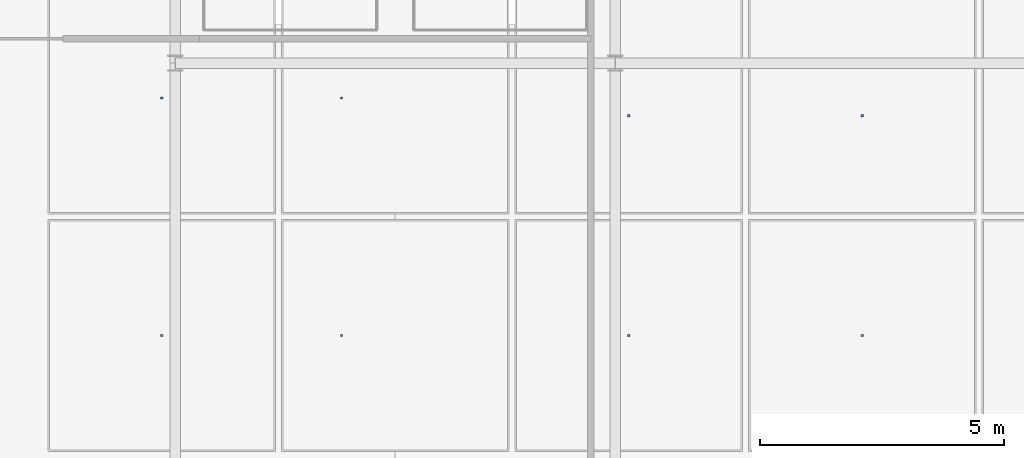
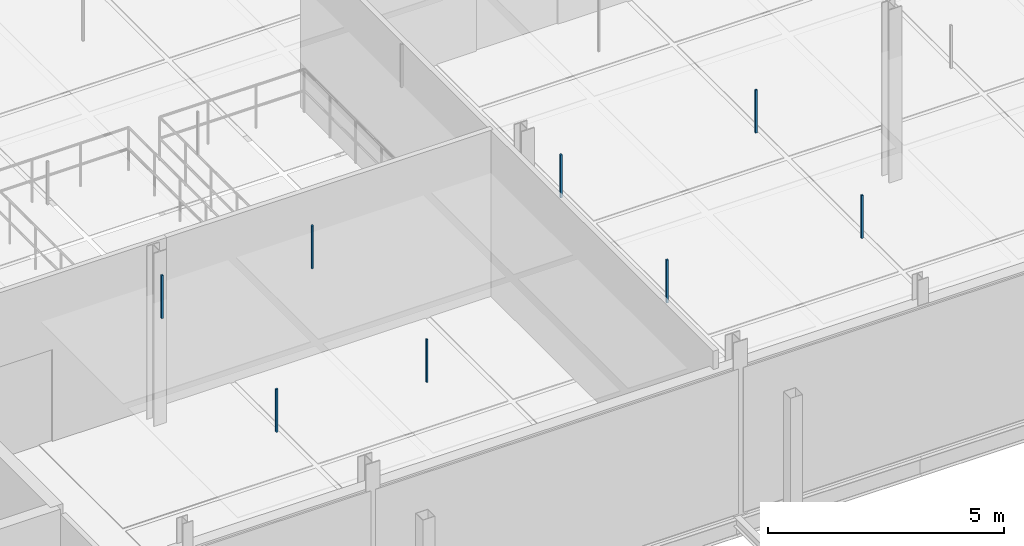
# One storey, part 55 of 89: 8 discrete accessories.
"""IFC4 building model written with IfcOpenShell, lengths in metres."""

from ifc_helpers import new_model, si_unit, direction, frame, origin, origin_2d, place, context, subcontext, project, spatial, rectangle, extrude, material, type_object, element, save


model = new_model("IFC4")

# Units and contexts
model_context = context("Model", 3, precision=1e-05, world=origin(), true_north=direction((0.0, 1.0)))
body_context = subcontext(model_context, "Body", "Model", "MODEL_VIEW")
ifc_project = project(units=[si_unit("LENGTHUNIT", "METRE"), si_unit("AREAUNIT", "SQUARE_METRE"), si_unit("VOLUMEUNIT", "CUBIC_METRE"), si_unit("PLANEANGLEUNIT", "RADIAN"), si_unit("MASSUNIT", "GRAM", prefix="KILO"), si_unit("THERMODYNAMICTEMPERATUREUNIT", "KELVIN"), si_unit("POWERUNIT", "WATT")], contexts=[model_context])

# Site, building, storey
site_placement = place(None, origin())
site = spatial("IfcSite", under=ifc_project, at=site_placement, CompositionType="ELEMENT")
building_placement = place(site_placement, origin())
building = spatial("IfcBuilding", under=site, at=building_placement, Name="Tallowbark Science Centre", CompositionType="ELEMENT")
storey_placement = place(building_placement, frame((0.0, 0.0, 14.39990234375)))
storey = spatial("IfcBuildingStorey", under=building, at=storey_placement, Name="L03", CompositionType="ELEMENT", Elevation=14.39990234375)

# Discrete accessories
ifc_material = material(Name="Galvanised Steel Grade C350L0 (350 MPa)", Category="steel")
discrete_accessory_type = type_object("IfcDiscreteAccessoryType", Name="ACC-CLG-HNG", PredefinedType="BRACKET", material=ifc_material)
for number, where, z_axis, x_axis, name in (
    (1, (76.22216796875, 7.9287109375, 3.20947265625), (0.0, 0.0, 1.0), (1.0, 0.0, 0.0), "Ceiling Hanger Bracket L03-961"),
    (2, (76.22216796875, 12.78564453125, 3.20947265625), (0.0, 0.0, 1.0), (1.0, 0.0, 0.0), "Ceiling Hanger Bracket L03-962"),
    (3, (79.900390625, 7.9287109375, 3.20947265625), (0.0, 0.0, 1.0), (1.0, 0.0, 0.0), "Ceiling Hanger Bracket L03-968"),
    (4, (79.900390625, 12.78564453125, 3.20947265625), (0.0, 0.0, 1.0), (1.0, 0.0, 0.0), "Ceiling Hanger Bracket L03-969"),
    (5, (85.77783203125, 7.9287109375, 3.20947265625), (0.0, 0.0, 1.0), (1.0, 0.0, 0.0), "Ceiling Hanger Bracket L03-975"),
    (6, (85.77783203125, 12.423583984375, 3.20947265625), (0.0, 0.0, 1.0), (1.0, 0.0, 0.0), "Ceiling Hanger Bracket L03-976"),
    (7, (90.5556640625, 7.9287109375, 3.20947265625), (0.0, 0.0, 1.0), (1.0, 0.0, 0.0), "Ceiling Hanger Bracket L03-982"),
    (8, (90.5556640625, 12.423583984375, 3.20947265625), (0.0, 0.0, 1.0), (1.0, 0.0, 0.0), "Ceiling Hanger Bracket L03-983"),
):
    element("IfcDiscreteAccessory", number, at=place(storey_placement, frame(where, z_axis=z_axis, x_axis=x_axis)), inside=storey, type_object=discrete_accessory_type, Name=name, PredefinedType="BRACKET", context=body_context, shape_type="SweptSolid", body=[
        extrude(rectangle(XDim=0.044921875, YDim=0.044921875, at=origin_2d()), origin(), (0.0, 0.0, 1.0), 1.113525390625),
    ])

save(model, "model.ifc")
